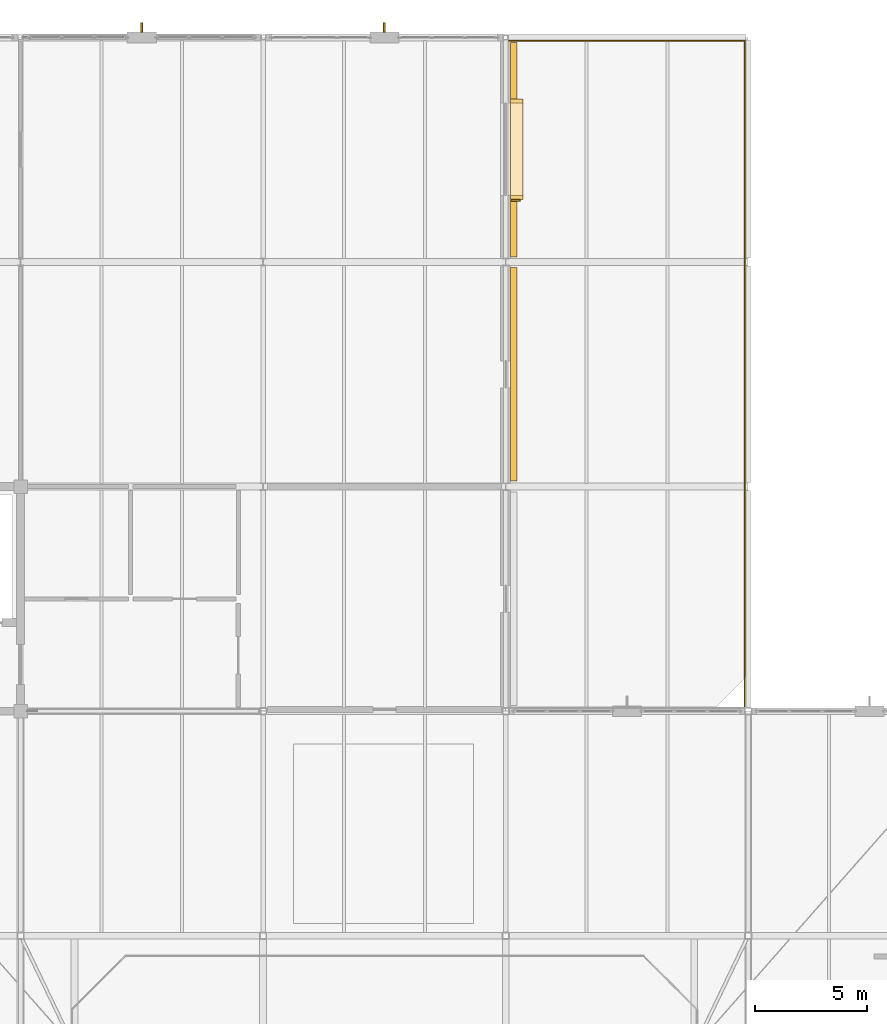
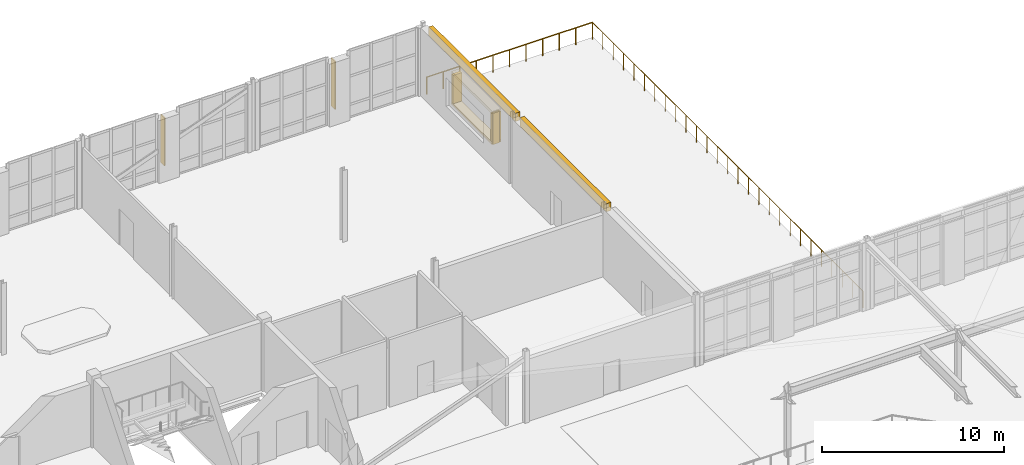
# One storey, part 85 of 86: 6 coverings, 3 shading devices, 2 railings.
"""IFC4 building model written with IfcOpenShell, lengths in metres."""

from ifc_helpers import new_model, si_unit, direction, frame, origin, origin_2d, place, context, subcontext, project, spatial, rectangle, circle, extrude, material, layer, layer_set, type_object, element, save


model = new_model("IFC4")

# Units and contexts
model_context = context("Model", 3, precision=1e-05, world=origin(), true_north=direction((0.0, 1.0)))
body_context = subcontext(model_context, "Body", "Model", "MODEL_VIEW")
ifc_project = project(units=[si_unit("LENGTHUNIT", "METRE"), si_unit("AREAUNIT", "SQUARE_METRE"), si_unit("VOLUMEUNIT", "CUBIC_METRE"), si_unit("PLANEANGLEUNIT", "RADIAN"), si_unit("MASSUNIT", "GRAM", prefix="KILO")], contexts=[model_context])

# Site, building, storey
site_placement = place(None, origin())
site = spatial("IfcSite", under=ifc_project, at=site_placement, CompositionType="ELEMENT")
building_placement = place(site_placement, origin())
building = spatial("IfcBuilding", under=site, at=building_placement, Name="Tasgan Crest Museum", CompositionType="ELEMENT")
storey_placement = place(building_placement, frame((0.0, 0.0, 24.0)))
storey = spatial("IfcBuildingStorey", under=building, at=storey_placement, Name="L04", CompositionType="ELEMENT", Elevation=24.0)

# Coverings
ifc_material_1 = material(Name="Honed Rose-Red Mongolian Granite", Category="masonry")
ifc_layer_1 = layer(ifc_material_1, 0.0400390625, Name="COV-GRANITE-ROSE")
ifc_layer_set_1 = layer_set([ifc_layer_1], Name="Honed Rose-Red Mongolian Granite")
covering_type_1 = type_object("IfcCoveringType", Name="COV-GRANITE-ROSE", PredefinedType="CLADDING", material=ifc_layer_set_1)
for number, where, z_axis, x_axis, name in (
    (1, (86.89990234375, 104.87939453125, 1.0), (0.0, 0.0, 1.0), (0.0, 1.0, 0.0), "Deep window reveal jamb L04-060"),
    (2, (86.89990234375, 109.159423828125, 1.0), (0.0, 0.0, 1.0), (0.0, 1.0, 0.0), "Deep window reveal jamb L04-060"),
):
    element("IfcCovering", number, at=place(storey_placement, frame(where, z_axis=z_axis, x_axis=x_axis)), inside=storey, type_object=covering_type_1, Name=name, PredefinedType="CLADDING", context=body_context, shape_type="SweptSolid", body=[
        extrude(rectangle(XDim=0.179931640625, YDim=0.550048828125, at=origin_2d()), origin(), (0.0, 0.0, 1.0), 1.89990234375),
    ])
ifc_material_2 = material(Name="Honed Buff Limestone", Category="masonry")
ifc_layer_2 = layer(ifc_material_2, 0.044921875, Name="COV-LIMESTONE-BUFF")
ifc_layer_set_2 = layer_set([ifc_layer_2], Name="Honed Buff Limestone")
covering_type_2 = type_object("IfcCoveringType", Name="COV-LIMESTONE-BUFF", PredefinedType="CLADDING", material=ifc_layer_set_2)
covering_1_placement = place(storey_placement, frame((86.764892578125, 97.0, 3.9599609375), z_axis=(0.0, 0.0, 1.0), x_axis=(0.0, 1.0, 0.0)))
element("IfcCovering", 3, at=covering_1_placement, inside=storey, type_object=covering_type_2, Name="Stone frieze cladding L04", PredefinedType="CLADDING", context=body_context, shape_type="SweptSolid", body=[
    extrude(rectangle(XDim=9.510009765625, YDim=0.280029296875, at=origin_2d()), origin(), (0.0, 0.0, 1.0), 0.550048828125),
])
covering_2_placement = place(storey_placement, frame((86.764892578125, 107.0, 3.9599609375), z_axis=(0.0, 0.0, 1.0), x_axis=(0.0, 1.0, 0.0)))
element("IfcCovering", 4, at=covering_2_placement, inside=storey, type_object=covering_type_2, Name="Stone frieze cladding L04", PredefinedType="CLADDING", context=body_context, shape_type="SweptSolid", body=[
    extrude(rectangle(XDim=9.549072265625, YDim=0.280029296875, at=origin_2d()), origin(), (0.0, 0.0, 1.0), 0.550048828125),
])
covering_3_placement = place(storey_placement, frame((86.89990234375, 107.01953125, 2.89990234375), z_axis=(0.0, 0.0, 1.0), x_axis=(0.0, 1.0, 0.0)))
element("IfcCovering", 5, at=covering_3_placement, inside=storey, type_object=covering_type_2, Name="Deep window hood L04-060", PredefinedType="CLADDING", context=body_context, shape_type="SweptSolid", body=[
    extrude(rectangle(XDim=4.4599609375, YDim=0.550048828125, at=origin_2d()), origin(), (0.0, 0.0, 1.0), 0.179931640625),
])
covering_4_placement = place(storey_placement, frame((86.89990234375, 107.01953125, 0.85986328125), z_axis=(0.0, 0.0, 1.0), x_axis=(0.0, 1.0, 0.0)))
element("IfcCovering", 6, at=covering_4_placement, inside=storey, type_object=covering_type_2, Name="Deep window sill L04-060", PredefinedType="CLADDING", context=body_context, shape_type="SweptSolid", body=[
    extrude(rectangle(XDim=4.4599609375, YDim=0.550048828125, at=origin_2d()), origin(), (0.0, 0.0, 1.0), 0.139892578125),
])

# Railings
ifc_material_3 = material(Name="Bronze and Honed Granite Balustrade", Category="masonry")
railing_type = type_object("IfcRailingType", Name="RL-BALUSTRADE-1150", PredefinedType="BALUSTRADE", material=ifc_material_3)
railing_1_placement = place(storey_placement, frame((97.050048828125, 82.14990234375, 0.0)))
element("IfcRailing", 7, at=railing_1_placement, inside=storey, type_object=railing_type, Name="Terrace guardrail L04 TR-NORTH-E", PredefinedType="BALUSTRADE", context=body_context, shape_type="SweptSolid", body=[
    extrude(circle(Radius=0.02392578125, at=origin_2d()), frame((0.0, 0.0, 1.1259765625), z_axis=(0.0, 1.0, 0.0), x_axis=(-1.0, 0.0, 0.0)), (0.0, 0.0, 1.0), 29.7001953125),
    extrude(circle(Radius=0.02099609375, at=origin_2d()), origin(), (0.0, 0.0, 1.0), 1.101806640625),
    extrude(circle(Radius=0.02099609375, at=origin_2d()), frame((0.0, 1.142333984375, 0.0)), (0.0, 0.0, 1.0), 1.101806640625),
    extrude(circle(Radius=0.02099609375, at=origin_2d()), frame((0.0, 2.28466796875, 0.0)), (0.0, 0.0, 1.0), 1.101806640625),
    extrude(circle(Radius=0.02099609375, at=origin_2d()), frame((0.0, 3.427001953125, 0.0)), (0.0, 0.0, 1.0), 1.101806640625),
    extrude(circle(Radius=0.02099609375, at=origin_2d()), frame((0.0, 4.5693359375, 0.0)), (0.0, 0.0, 1.0), 1.101806640625),
    extrude(circle(Radius=0.02099609375, at=origin_2d()), frame((0.0, 5.711669921875, 0.0)), (0.0, 0.0, 1.0), 1.101806640625),
    extrude(circle(Radius=0.02099609375, at=origin_2d()), frame((0.0, 6.85400390625, 0.0)), (0.0, 0.0, 1.0), 1.101806640625),
    extrude(circle(Radius=0.02099609375, at=origin_2d()), frame((0.0, 7.99609375, 0.0)), (0.0, 0.0, 1.0), 1.101806640625),
    extrude(circle(Radius=0.02099609375, at=origin_2d()), frame((0.0, 9.138427734375, 0.0)), (0.0, 0.0, 1.0), 1.101806640625),
    extrude(circle(Radius=0.02099609375, at=origin_2d()), frame((0.0, 10.28076171875, 0.0)), (0.0, 0.0, 1.0), 1.101806640625),
    extrude(circle(Radius=0.02099609375, at=origin_2d()), frame((0.0, 11.423095703125, 0.0)), (0.0, 0.0, 1.0), 1.101806640625),
    extrude(circle(Radius=0.02099609375, at=origin_2d()), frame((0.0, 12.5654296875, 0.0)), (0.0, 0.0, 1.0), 1.101806640625),
    extrude(circle(Radius=0.02099609375, at=origin_2d()), frame((0.0, 13.707763671875, 0.0)), (0.0, 0.0, 1.0), 1.101806640625),
    extrude(circle(Radius=0.02099609375, at=origin_2d()), frame((0.0, 14.85009765625, 0.0)), (0.0, 0.0, 1.0), 1.101806640625),
    extrude(circle(Radius=0.02099609375, at=origin_2d()), frame((0.0, 15.992431640625, 0.0)), (0.0, 0.0, 1.0), 1.101806640625),
    extrude(circle(Radius=0.02099609375, at=origin_2d()), frame((0.0, 17.134765625, 0.0)), (0.0, 0.0, 1.0), 1.101806640625),
    extrude(circle(Radius=0.02099609375, at=origin_2d()), frame((0.0, 18.277099609375, 0.0)), (0.0, 0.0, 1.0), 1.101806640625),
    extrude(circle(Radius=0.02099609375, at=origin_2d()), frame((0.0, 19.41943359375, 0.0)), (0.0, 0.0, 1.0), 1.101806640625),
    extrude(circle(Radius=0.02099609375, at=origin_2d()), frame((0.0, 20.561767578125, 0.0)), (0.0, 0.0, 1.0), 1.101806640625),
    extrude(circle(Radius=0.02099609375, at=origin_2d()), frame((0.0, 21.7041015625, 0.0)), (0.0, 0.0, 1.0), 1.101806640625),
    extrude(circle(Radius=0.02099609375, at=origin_2d()), frame((0.0, 22.84619140625, 0.0)), (0.0, 0.0, 1.0), 1.101806640625),
    extrude(circle(Radius=0.02099609375, at=origin_2d()), frame((0.0, 23.988525390625, 0.0)), (0.0, 0.0, 1.0), 1.101806640625),
    extrude(circle(Radius=0.02099609375, at=origin_2d()), frame((0.0, 25.130859375, 0.0)), (0.0, 0.0, 1.0), 1.101806640625),
    extrude(circle(Radius=0.02099609375, at=origin_2d()), frame((0.0, 26.273193359375, 0.0)), (0.0, 0.0, 1.0), 1.101806640625),
    extrude(circle(Radius=0.02099609375, at=origin_2d()), frame((0.0, 27.41552734375, 0.0)), (0.0, 0.0, 1.0), 1.101806640625),
    extrude(circle(Radius=0.02099609375, at=origin_2d()), frame((0.0, 28.557861328125, 0.0)), (0.0, 0.0, 1.0), 1.101806640625),
    extrude(circle(Radius=0.02099609375, at=origin_2d()), frame((0.0, 29.7001953125, 0.0)), (0.0, 0.0, 1.0), 1.101806640625),
])
railing_2_placement = place(storey_placement, frame((97.050048828125, 111.85009765625, 0.0)))
element("IfcRailing", 8, at=railing_2_placement, inside=storey, type_object=railing_type, Name="Terrace guardrail L04 TR-NORTH-N", PredefinedType="BALUSTRADE", context=body_context, shape_type="SweptSolid", body=[
    extrude(circle(Radius=0.02392578125, at=origin_2d()), frame((0.0, 0.0, 1.1259765625), z_axis=(-1.0, 0.0, 0.0), x_axis=(0.0, -1.0, 0.0)), (0.0, 0.0, 1.0), 10.5),
    extrude(circle(Radius=0.02099609375, at=origin_2d()), origin(), (0.0, 0.0, 1.0), 1.101806640625),
    extrude(circle(Radius=0.02099609375, at=origin_2d()), frame((-1.050048828125, 0.0, 0.0)), (0.0, 0.0, 1.0), 1.101806640625),
    extrude(circle(Radius=0.02099609375, at=origin_2d()), frame((-2.10009765625, 0.0, 0.0)), (0.0, 0.0, 1.0), 1.101806640625),
    extrude(circle(Radius=0.02099609375, at=origin_2d()), frame((-3.14990234375, 0.0, 0.0)), (0.0, 0.0, 1.0), 1.101806640625),
    extrude(circle(Radius=0.02099609375, at=origin_2d()), frame((-4.199951171875, 0.0, 0.0)), (0.0, 0.0, 1.0), 1.101806640625),
    extrude(circle(Radius=0.02099609375, at=origin_2d()), frame((-5.25, 0.0, 0.0)), (0.0, 0.0, 1.0), 1.101806640625),
    extrude(circle(Radius=0.02099609375, at=origin_2d()), frame((-6.300048828125, 0.0, 0.0)), (0.0, 0.0, 1.0), 1.101806640625),
    extrude(circle(Radius=0.02099609375, at=origin_2d()), frame((-7.35009765625, 0.0, 0.0)), (0.0, 0.0, 1.0), 1.101806640625),
    extrude(circle(Radius=0.02099609375, at=origin_2d()), frame((-8.39990234375, 0.0, 0.0)), (0.0, 0.0, 1.0), 1.101806640625),
    extrude(circle(Radius=0.02099609375, at=origin_2d()), frame((-9.449951171875, 0.0, 0.0)), (0.0, 0.0, 1.0), 1.101806640625),
    extrude(circle(Radius=0.02099609375, at=origin_2d()), frame((-10.5, 0.0, 0.0)), (0.0, 0.0, 1.0), 1.101806640625),
])

# Shading devices
ifc_material_4 = material(Name="Anodised Bronze Aluminium", Category="aluminium")
shading_device_type = type_object("IfcShadingDeviceType", Name="SH-FIN-V400", PredefinedType="JALOUSIE", material=ifc_material_4)
shading_device_placement = place(storey_placement, frame((86.8349609375, 104.74951171875, 0.89990234375), z_axis=(0.0, 0.0, 1.0), x_axis=(0.0, 1.0, 0.0)))
element("IfcShadingDevice", 9, at=shading_device_placement, inside=storey, type_object=shading_device_type, Name="Solar shading fin L04-060", PredefinedType="JALOUSIE", context=body_context, shape_type="SweptSolid", body=[
    extrude(rectangle(XDim=0.080078125, YDim=0.419921875, at=origin_2d()), origin(), (0.0, 0.0, 1.0), 2.10009765625),
])
for number, where, z_axis, x_axis, name in (
    (10, (81.0, 112.449951171875, 0.68017578125), (0.0, 0.0, 1.0), (-1.0, 0.0, 0.0), "Facade pier solar fin L04"),
    (11, (70.199951171875, 112.449951171875, 0.68017578125), (0.0, 0.0, 1.0), (-1.0, 0.0, 0.0), "Facade pier solar fin L04"),
):
    element("IfcShadingDevice", number, at=place(storey_placement, frame(where, z_axis=z_axis, x_axis=x_axis)), inside=storey, type_object=shading_device_type, Name=name, PredefinedType="JALOUSIE", context=body_context, shape_type="SweptSolid", body=[
        extrude(rectangle(XDim=0.080078125, YDim=0.419921875, at=origin_2d()), origin(), (0.0, 0.0, 1.0), 3.199951171875),
    ])

save(model, "model.ifc")
